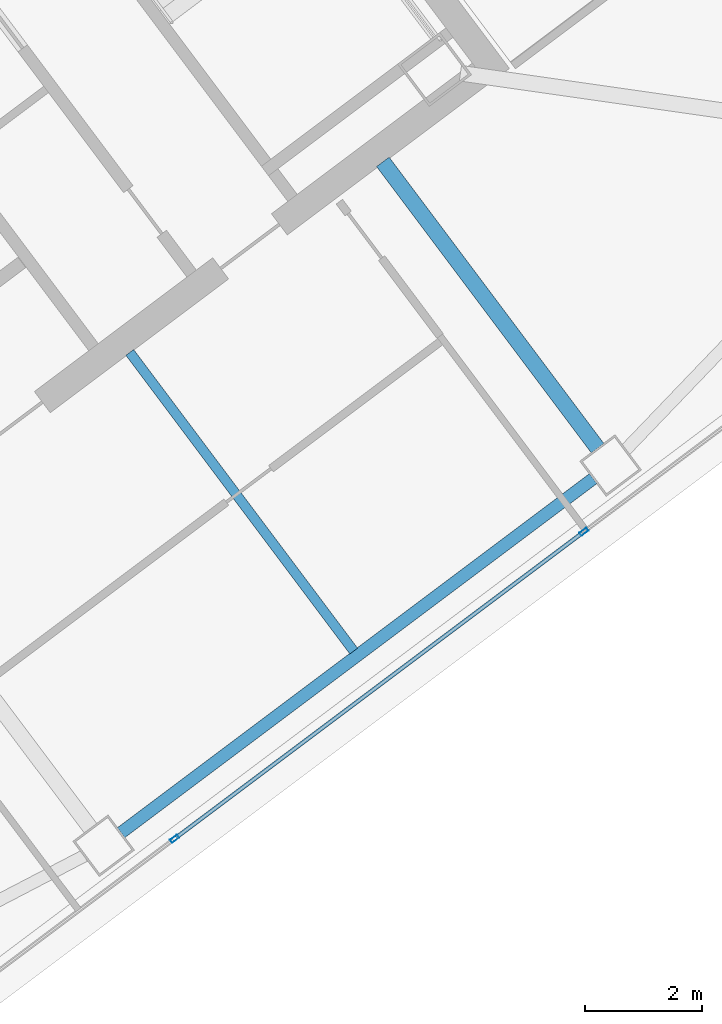
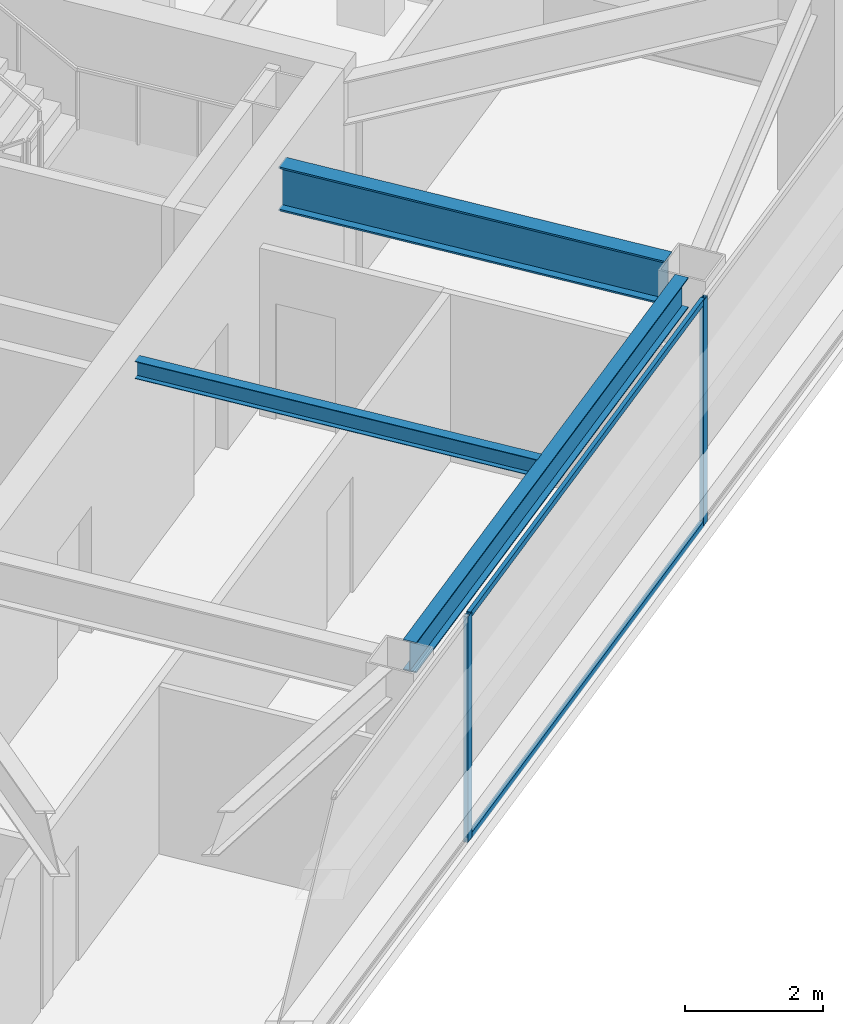
# One storey, part 30 of 51: 4 members, 3 beams, 1 element without a shape of its own.
"""IFC4 building model written with IfcOpenShell, lengths in metres."""

from ifc_helpers import new_model, si_unit, direction, frame, origin, origin_2d, place, context, subcontext, project, spatial, hollow_rectangle, i_section, extrude, material, material_profile, profile_set, type_object, element, aggregate, save


model = new_model("IFC4")

# Units and contexts
model_context = context("Model", 3, precision=1e-05, world=origin(), true_north=direction((0.0, 1.0)))
body_context = subcontext(model_context, "Body", "Model", "MODEL_VIEW")
ifc_project = project(units=[si_unit("LENGTHUNIT", "METRE"), si_unit("AREAUNIT", "SQUARE_METRE"), si_unit("VOLUMEUNIT", "CUBIC_METRE"), si_unit("PLANEANGLEUNIT", "RADIAN"), si_unit("MASSUNIT", "GRAM", prefix="KILO")], contexts=[model_context])

# Site, building, storey
site_placement = place(None, origin())
site = spatial("IfcSite", under=ifc_project, at=site_placement, CompositionType="ELEMENT")
building_placement = place(site_placement, origin())
building = spatial("IfcBuilding", under=site, at=building_placement, Name="Tashvorn Skyway Center", CompositionType="ELEMENT")
storey_placement = place(building_placement, frame((0.0, 0.0, 251.39990234375)))
storey = spatial("IfcBuildingStorey", under=building, at=storey_placement, Name="L68", CompositionType="ELEMENT", Elevation=251.39990234375)

# Beams
ifc_material_1 = material(Name="Steel ASTM A992 Grade 50", Category="steel")
ifc_material_profile_1 = material_profile(ifc_material_1, i_section(OverallWidth=0.26708984375, OverallDepth=0.779052734375, WebThickness=0.0166015625, FlangeThickness=0.030029296875, at=origin_2d()), Name="W30X148")
ifc_profile_set_1 = profile_set([ifc_material_profile_1], Name="Steel ASTM A992 Grade 50")
beam_type_1 = type_object("IfcBeamType", Name="BM-BEAM-W30X148", PredefinedType="BEAM", material=ifc_profile_set_1)
beam_1_placement = place(storey_placement, frame((126.64794921875, 24.135986328125, 3.390625), z_axis=(-0.599980788915, 0.800014407953, 0.0), x_axis=(-0.800014407953, -0.599980788915, 0.0)))
element("IfcBeam", 1, at=beam_1_placement, inside=storey, type_object=beam_type_1, Name="Tower 2 L68 Primary Floor Girder FC-S2", PredefinedType="BEAM", context=body_context, shape_type="SweptSolid", body=[
    extrude(i_section(OverallWidth=0.26708984375, OverallDepth=0.779052734375, WebThickness=0.0166015625, FlangeThickness=0.030029296875, at=origin_2d()), origin(), (0.0, 0.0, 1.0), 6.10009765625),
])
ifc_material_profile_2 = material_profile(ifc_material_1, i_section(OverallWidth=0.1650390625, OverallDepth=0.31005859375, WebThickness=0.005859375, FlangeThickness=0.009765625, at=origin_2d()), Name="W12X26")
ifc_profile_set_2 = profile_set([ifc_material_profile_2], Name="Steel ASTM A992 Grade 50")
beam_type_2 = type_object("IfcBeamType", Name="BM-JOIST-W12X26", PredefinedType="JOIST", material=ifc_profile_set_2)
beam_2_placement = place(storey_placement, frame((118.674072265625, 25.76806640625, 3.625), z_axis=(0.599981581373, -0.800013813639, 0.0), x_axis=(0.800013813639, 0.599981581373, 0.0)))
element("IfcBeam", 2, at=beam_2_placement, inside=storey, type_object=beam_type_2, Name="Tower 2 L68 Secondary Composite Joist JS", PredefinedType="JOIST", context=body_context, shape_type="SweptSolid", body=[
    extrude(i_section(OverallWidth=0.1650390625, OverallDepth=0.31005859375, WebThickness=0.005859375, FlangeThickness=0.009765625, at=origin_2d()), origin(), (0.0, 0.0, 1.0), 6.362548828125),
])
ifc_material_profile_3 = material_profile(ifc_material_1, i_section(OverallWidth=0.2109375, OverallDepth=0.5390625, WebThickness=0.01171875, FlangeThickness=0.018798828125, at=origin_2d()), Name="W21X73")
ifc_profile_set_3 = profile_set([ifc_material_profile_3], Name="Steel ASTM A992 Grade 50")
beam_type_3 = type_object("IfcBeamType", Name="BM-SPANDREL-W21X73", PredefinedType="SPANDREL", material=ifc_profile_set_3)
beam_3_placement = place(storey_placement, frame((118.52587890625, 17.58203125, 3.510498046875), z_axis=(0.800008736549, 0.599988351091, 0.0), x_axis=(-0.599988351091, 0.800008736549, 0.0)))
element("IfcBeam", 3, at=beam_3_placement, inside=storey, type_object=beam_type_3, Name="Tower 2 L68 Spandrel Beam 02", PredefinedType="SPANDREL", context=body_context, shape_type="SweptSolid", body=[
    extrude(i_section(OverallWidth=0.2109375, OverallDepth=0.5390625, WebThickness=0.01171875, FlangeThickness=0.018798828125, at=origin_2d()), origin(), (0.0, 0.0, 1.0), 10.06005859375),
])

# Curtain wall, members
ifc_material_2 = material(Name="Thermally broken bronze-anodized aluminium 6063-T6", Category="aluminium")
curtain_wall_type = type_object("IfcCurtainWallType", Name="CW-CW-SKY", PredefinedType="NOTDEFINED", material=ifc_material_2)
curtain_wall_placement = place(storey_placement, origin())
curtain_wall = element("IfcCurtainWall", 4, at=curtain_wall_placement, inside=storey, type_object=curtain_wall_type, Name="Tower 2 L68 South Unitised Curtain Wall", PredefinedType="NOTDEFINED")
ifc_material_profile_4 = material_profile(ifc_material_2, hollow_rectangle(XDim=0.06494140625, YDim=0.14990234375, WallThickness=0.00390625, at=origin_2d()), Name="ALU-MULL-65x150")
ifc_profile_set_4 = profile_set([ifc_material_profile_4], Name="Thermally broken bronze-anodized aluminium 6063-T6")
member_type_1 = type_object("IfcMemberType", Name="CWM-CW-SKY", PredefinedType="MULLION", material=ifc_profile_set_4)
member_1_placement = place(storey_placement, frame((126.416015625, 22.7119140625, 0.0), z_axis=(0.0, 0.0, 1.0), x_axis=(0.600000000002, -0.799999999998, 0.0)))
member_1 = element("IfcMember", 5, at=member_1_placement, type_object=member_type_1, Name="CW-SKY mullion 2", PredefinedType="MULLION", context=body_context, shape_type="SweptSolid", body=[
    extrude(hollow_rectangle(XDim=0.06494140625, YDim=0.14990234375, WallThickness=0.00390625, at=origin_2d()), origin(), (0.0, 0.0, 1.0), 4.0),
])
member_2_placement = place(storey_placement, frame((119.43994140625, 17.47998046875, 0.0), z_axis=(0.0, 0.0, 1.0), x_axis=(0.600000000002, -0.799999999998, 0.0)))
member_2 = element("IfcMember", 6, at=member_2_placement, type_object=member_type_1, Name="CW-SKY mullion 3", PredefinedType="MULLION", context=body_context, shape_type="SweptSolid", body=[
    extrude(hollow_rectangle(XDim=0.06494140625, YDim=0.14990234375, WallThickness=0.00390625, at=origin_2d()), origin(), (0.0, 0.0, 1.0), 4.0),
])
ifc_material_profile_5 = material_profile(ifc_material_2, hollow_rectangle(XDim=0.06494140625, YDim=0.10498046875, WallThickness=0.00390625, at=origin_2d()), Name="ALU-TRAN-65x105")
ifc_profile_set_5 = profile_set([ifc_material_profile_5], Name="Thermally broken bronze-anodized aluminium 6063-T6")
member_type_2 = type_object("IfcMemberType", Name="CWT-CW-SKY", PredefinedType="USERDEFINED", material=ifc_profile_set_5)
member_3_placement = place(storey_placement, frame((126.389892578125, 22.6923828125, 0.03271484375), z_axis=(-0.8, -0.6, 0.0), x_axis=(0.6, -0.8, 0.0)))
member_3 = element("IfcMember", 7, at=member_3_placement, type_object=member_type_2, Name="CW-SKY transom 2.1", ObjectType="TRANSOM", PredefinedType="USERDEFINED", context=body_context, shape_type="SweptSolid", body=[
    extrude(hollow_rectangle(XDim=0.06494140625, YDim=0.10498046875, WallThickness=0.00390625, at=origin_2d()), origin(), (0.0, 0.0, 1.0), 8.65478515625),
])
member_4_placement = place(storey_placement, frame((126.389892578125, 22.6923828125, 3.967529296875), z_axis=(-0.8, -0.6, 0.0), x_axis=(0.6, -0.8, 0.0)))
member_4 = element("IfcMember", 8, at=member_4_placement, type_object=member_type_2, Name="CW-SKY transom 2.2", ObjectType="TRANSOM", PredefinedType="USERDEFINED", context=body_context, shape_type="SweptSolid", body=[
    extrude(hollow_rectangle(XDim=0.06494140625, YDim=0.10498046875, WallThickness=0.00390625, at=origin_2d()), origin(), (0.0, 0.0, 1.0), 8.65478515625),
])
aggregate(curtain_wall, [member_1, member_2, member_3, member_4])

save(model, "model.ifc")
